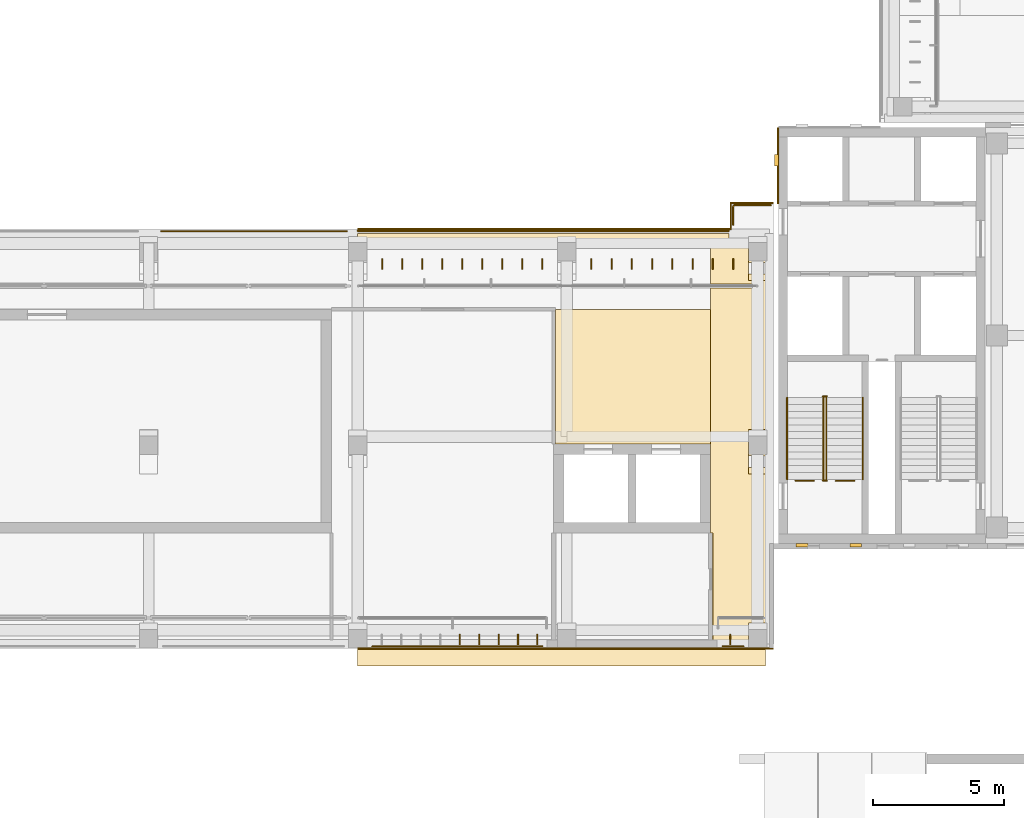
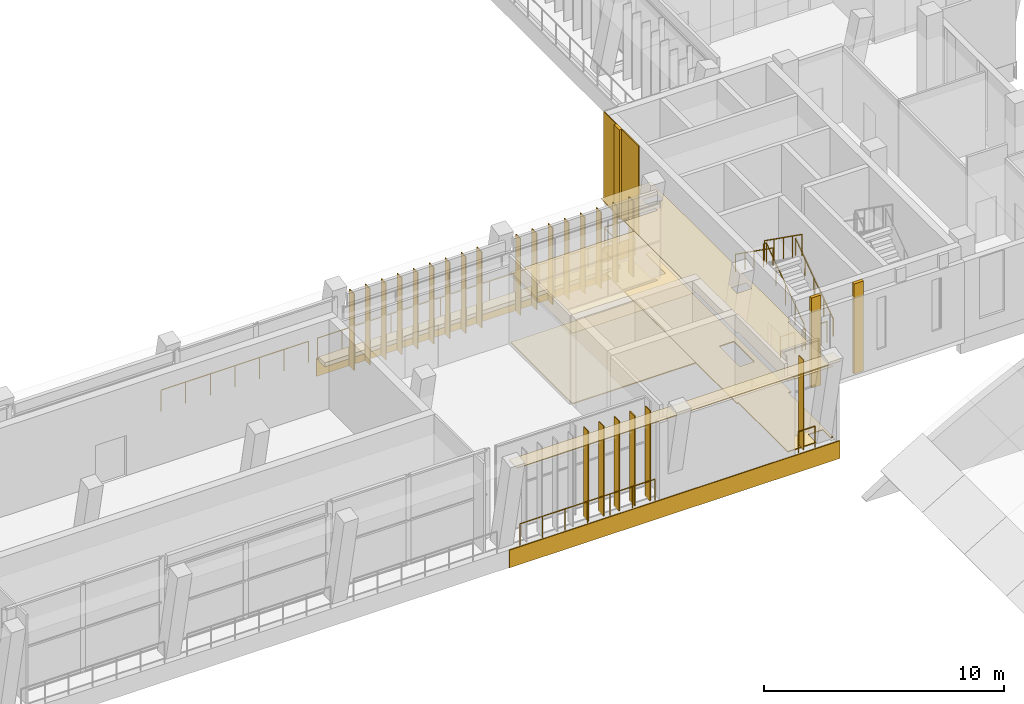
# One storey, part 57 of 74: 23 shading devices, 14 coverings, 13 railings.
"""IFC4 building model written with IfcOpenShell, lengths in metres."""

from ifc_helpers import new_model, si_unit, direction, frame, frame_2d, origin, origin_2d, place, context, subcontext, project, spatial, polyline, rectangle, circle, outline, extrude, material, layer, layer_set, type_object, element, save


model = new_model("IFC4")

# Units and contexts
model_context = context("Model", 3, precision=1e-05, world=origin(), true_north=direction((0.0, 1.0)))
body_context = subcontext(model_context, "Body", "Model", "MODEL_VIEW")
ifc_project = project(units=[si_unit("LENGTHUNIT", "METRE"), si_unit("AREAUNIT", "SQUARE_METRE"), si_unit("VOLUMEUNIT", "CUBIC_METRE"), si_unit("PLANEANGLEUNIT", "RADIAN"), si_unit("MASSUNIT", "GRAM", prefix="KILO")], contexts=[model_context])

# Site, building, storey
site_placement = place(None, origin())
site = spatial("IfcSite", under=ifc_project, at=site_placement, CompositionType="ELEMENT")
building_placement = place(site_placement, origin())
building = spatial("IfcBuilding", under=site, at=building_placement, Name="Lantern Court Media Centre", CompositionType="ELEMENT")
storey_placement = place(building_placement, frame((0.0, 0.0, 19.199951171875)))
storey = spatial("IfcBuildingStorey", under=building, at=storey_placement, Name="L04", CompositionType="ELEMENT", Elevation=19.199951171875)

# Railings
ifc_material_1 = material(Name="Powder-coated steel", Category="steel")
railing_type_1 = type_object("IfcRailingType", Name="Floor edge guard 1100", PredefinedType="GUARDRAIL", material=ifc_material_1)
for number, where, name in (
    (1, (83.0, 50.390380859375, 0.0), "L04 opening guard 109"),
    (2, (81.45361328125, 50.390380859375, 0.0), "L04 opening guard 110"),
):
    element("IfcRailing", number, at=place(storey_placement, frame(where)), inside=storey, type_object=railing_type_1, Name=name, PredefinedType="GUARDRAIL", context=body_context, shape_type="SweptSolid", body=[
        extrude(circle(Radius=0.02392578125, at=origin_2d()), frame((0.0, 0.0, 1.076171875), z_axis=(-1.0, 0.0, 0.0), x_axis=(0.0, -1.0, 0.0)), (0.0, 0.0, 1.0), 0.70361328125),
        extrude(circle(Radius=0.02099609375, at=origin_2d()), origin(), (0.0, 0.0, 1.0), 1.052001953125),
        extrude(circle(Radius=0.02099609375, at=origin_2d()), frame((-0.70361328125, 0.0, 0.0)), (0.0, 0.0, 1.0), 1.052001953125),
    ])
railing_1_placement = place(storey_placement, frame((56.48095703125, 59.93994140625, 0.0)))
element("IfcRailing", 3, at=railing_1_placement, inside=storey, type_object=railing_type_1, Name="L04 edge guard 133", PredefinedType="GUARDRAIL", context=body_context, shape_type="SweptSolid", body=[
    extrude(circle(Radius=0.02392578125, at=origin_2d()), frame((0.0, 0.0, 1.076171875), z_axis=(1.0, 0.0, 0.0), x_axis=(0.0, 1.0, 0.0)), (0.0, 0.0, 1.0), 7.09814453125),
    extrude(circle(Radius=0.02099609375, at=origin_2d()), origin(), (0.0, 0.0, 1.0), 1.052001953125),
    extrude(circle(Radius=0.02099609375, at=origin_2d()), frame((1.18310546875, 0.0, 0.0)), (0.0, 0.0, 1.0), 1.052001953125),
    extrude(circle(Radius=0.02099609375, at=origin_2d()), frame((2.365966796875, 0.0, 0.0)), (0.0, 0.0, 1.0), 1.052001953125),
    extrude(circle(Radius=0.02099609375, at=origin_2d()), frame((3.549072265625, 0.0, 0.0)), (0.0, 0.0, 1.0), 1.052001953125),
    extrude(circle(Radius=0.02099609375, at=origin_2d()), frame((4.732177734375, 0.0, 0.0)), (0.0, 0.0, 1.0), 1.052001953125),
    extrude(circle(Radius=0.02099609375, at=origin_2d()), frame((5.9150390625, 0.0, 0.0)), (0.0, 0.0, 1.0), 1.052001953125),
    extrude(circle(Radius=0.02099609375, at=origin_2d()), frame((7.09814453125, 0.0, 0.0)), (0.0, 0.0, 1.0), 1.052001953125),
])
railing_2_placement = place(storey_placement, frame((71.06201171875, 44.06005859375, 0.0)))
element("IfcRailing", 4, at=railing_2_placement, inside=storey, type_object=railing_type_1, Name="L04 edge guard 136", PredefinedType="GUARDRAIL", context=body_context, shape_type="SweptSolid", body=[
    extrude(circle(Radius=0.02392578125, at=origin_2d()), frame((0.0, 0.0, 1.076171875), z_axis=(-1.0, 0.0, 0.0), x_axis=(0.0, -1.0, 0.0)), (0.0, 0.0, 1.0), 6.498046875),
    extrude(circle(Radius=0.02099609375, at=origin_2d()), origin(), (0.0, 0.0, 1.0), 1.052001953125),
    extrude(circle(Radius=0.02099609375, at=origin_2d()), frame((-1.0830078125, 0.0, 0.0)), (0.0, 0.0, 1.0), 1.052001953125),
    extrude(circle(Radius=0.02099609375, at=origin_2d()), frame((-2.166015625, 0.0, 0.0)), (0.0, 0.0, 1.0), 1.052001953125),
    extrude(circle(Radius=0.02099609375, at=origin_2d()), frame((-3.2490234375, 0.0, 0.0)), (0.0, 0.0, 1.0), 1.052001953125),
    extrude(circle(Radius=0.02099609375, at=origin_2d()), frame((-4.33203125, 0.0, 0.0)), (0.0, 0.0, 1.0), 1.052001953125),
    extrude(circle(Radius=0.02099609375, at=origin_2d()), frame((-5.4150390625, 0.0, 0.0)), (0.0, 0.0, 1.0), 1.052001953125),
    extrude(circle(Radius=0.02099609375, at=origin_2d()), frame((-6.498046875, 0.0, 0.0)), (0.0, 0.0, 1.0), 1.052001953125),
])
railing_3_placement = place(storey_placement, frame((78.760009765625, 44.06005859375, 0.0)))
element("IfcRailing", 5, at=railing_3_placement, inside=storey, type_object=railing_type_1, Name="L04 edge guard 139", PredefinedType="GUARDRAIL", context=body_context, shape_type="SweptSolid", body=[
    extrude(circle(Radius=0.02392578125, at=origin_2d()), frame((0.0, 0.0, 1.076171875), z_axis=(-1.0, 0.0, 0.0), x_axis=(0.0, -1.0, 0.0)), (0.0, 0.0, 1.0), 0.800048828125),
    extrude(circle(Radius=0.02099609375, at=origin_2d()), origin(), (0.0, 0.0, 1.0), 1.052001953125),
    extrude(circle(Radius=0.02099609375, at=origin_2d()), frame((-0.800048828125, 0.0, 0.0)), (0.0, 0.0, 1.0), 1.052001953125),
])
railing_4_placement = place(storey_placement, frame((78.360107421875, 60.18505859375, 0.0)))
element("IfcRailing", 6, at=railing_4_placement, inside=storey, type_object=railing_type_1, Name="L04 edge guard 140", PredefinedType="GUARDRAIL", context=body_context, shape_type="SweptSolid", body=[
    extrude(circle(Radius=0.02392578125, at=origin_2d()), frame((0.0, 0.0, 1.076171875), z_axis=(0.0, 1.0, 0.0), x_axis=(-1.0, 0.0, 0.0)), (0.0, 0.0, 1.0), 0.698974609375),
    extrude(circle(Radius=0.02392578125, at=origin_2d()), frame((0.0, 0.698974609375, 1.076171875), z_axis=(0.626354171064, 0.779538615074, 0.0), x_axis=(-0.779538615074, 0.626354171064, 0.0)), (0.0, 0.0, 1.0), 0.07177734375),
    extrude(circle(Radius=0.02392578125, at=origin_2d()), frame((0.044921875, 0.7548828125, 1.076171875), z_axis=(1.0, 0.0, 0.0), x_axis=(0.0, 1.0, 0.0)), (0.0, 0.0, 1.0), 1.39892578125),
    extrude(circle(Radius=0.02099609375, at=origin_2d()), origin(), (0.0, 0.0, 1.0), 1.052001953125),
    extrude(circle(Radius=0.02099609375, at=origin_2d()), frame((0.0, 0.698974609375, 0.0)), (0.0, 0.0, 1.0), 1.052001953125),
    extrude(circle(Radius=0.02099609375, at=origin_2d()), frame((0.044921875, 0.7548828125, 0.0)), (0.0, 0.0, 1.0), 1.052001953125),
    extrude(circle(Radius=0.02099609375, at=origin_2d()), frame((0.744384765625, 0.7548828125, 0.0)), (0.0, 0.0, 1.0), 1.052001953125),
    extrude(circle(Radius=0.02099609375, at=origin_2d()), frame((1.44384765625, 0.7548828125, 0.0)), (0.0, 0.0, 1.0), 1.052001953125),
])

# Coverings
ifc_material_2 = material(Name="White glass-fibre reinforced cement cladding", Category="concrete")
ifc_layer_1 = layer(ifc_material_2, 0.050048828125)
ifc_layer_set_1 = layer_set([ifc_layer_1], Name="White glass-fibre reinforced cement cladding")
covering_type_1 = type_object("IfcCoveringType", Name="Floor-edge band 50", PredefinedType="CLADDING", material=ifc_layer_set_1)
covering_1_placement = place(storey_placement, frame((64.0, 43.97509765625, -0.89990234375), z_axis=(0.0, 0.0, 1.0), x_axis=(1.0, 0.0, 0.0)))
element("IfcCovering", 7, at=covering_1_placement, inside=storey, type_object=covering_type_1, Name="Floor-edge band S outer L04", PredefinedType="CLADDING", context=body_context, shape_type="SweptSolid", body=[
    extrude(rectangle(XDim=15.89990234375, YDim=0.050048828125, at=frame_2d((7.949951171875, 0.0))), origin(), (0.0, 0.0, 1.0), 0.89990234375),
])
covering_2_placement = place(storey_placement, frame((64.0, 60.02490234375, -0.89990234375), z_axis=(0.0, 0.0, 1.0), x_axis=(1.0, 0.0, 0.0)))
element("IfcCovering", 8, at=covering_2_placement, inside=storey, type_object=covering_type_1, Name="Floor-edge band S inner L04", PredefinedType="CLADDING", context=body_context, shape_type="SweptSolid", body=[
    extrude(rectangle(XDim=14.25, YDim=0.050048828125, at=frame_2d((7.125, 0.0))), origin(), (0.0, 0.0, 1.0), 0.89990234375),
])
covering_3_placement = place(storey_placement, frame((78.300048828125, 61.02490234375, -0.89990234375), z_axis=(0.0, 0.0, 1.0), x_axis=(1.0, 0.0, 0.0)))
element("IfcCovering", 9, at=covering_3_placement, inside=storey, type_object=covering_type_1, Name="Floor-edge band S inner L04", PredefinedType="CLADDING", context=body_context, shape_type="SweptSolid", body=[
    extrude(rectangle(XDim=1.599853515625, YDim=0.050048828125, at=frame_2d((0.7998046875, 0.0))), origin(), (0.0, 0.0, 1.0), 0.89990234375),
])
covering_4_placement = place(storey_placement, frame((78.27490234375, 60.0, -0.89990234375), z_axis=(0.0, 0.0, 1.0), x_axis=(0.0, 1.0, 0.0)))
element("IfcCovering", 10, at=covering_4_placement, inside=storey, type_object=covering_type_1, Name="Floor-edge band S inner L04", PredefinedType="CLADDING", context=body_context, shape_type="SweptSolid", body=[
    extrude(rectangle(XDim=1.050048828125, YDim=0.050048828125, at=frame_2d((0.52490234375, 0.0))), origin(), (0.0, 0.0, 1.0), 0.89990234375),
])

# Railing
ifc_material_3 = material(Name="Painted mild steel balustrade", Category="steel")
railing_type_2 = type_object("IfcRailingType", Name="Guard 1100 steel balustrade", PredefinedType="GUARDRAIL", material=ifc_material_3)
railing_5_placement = place(storey_placement, frame((64.0, 59.949951171875, 0.0)))
element("IfcRailing", 11, at=railing_5_placement, inside=storey, type_object=railing_type_2, Name="Ledge guard S L04", PredefinedType="GUARDRAIL", context=body_context, shape_type="SweptSolid", body=[
    extrude(circle(Radius=0.02392578125, at=origin_2d()), frame((0.0, 0.0, 1.076171875), z_axis=(1.0, 0.0, 0.0), x_axis=(0.0, 1.0, 0.0)), (0.0, 0.0, 1.0), 14.199951171875),
    extrude(circle(Radius=0.02099609375, at=origin_2d()), origin(), (0.0, 0.0, 1.0), 1.052001953125),
    extrude(circle(Radius=0.02099609375, at=origin_2d()), frame((1.183349609375, 0.0, 0.0)), (0.0, 0.0, 1.0), 1.052001953125),
    extrude(circle(Radius=0.02099609375, at=origin_2d()), frame((2.36669921875, 0.0, 0.0)), (0.0, 0.0, 1.0), 1.052001953125),
    extrude(circle(Radius=0.02099609375, at=origin_2d()), frame((3.550048828125, 0.0, 0.0)), (0.0, 0.0, 1.0), 1.052001953125),
    extrude(circle(Radius=0.02099609375, at=origin_2d()), frame((4.7333984375, 0.0, 0.0)), (0.0, 0.0, 1.0), 1.052001953125),
    extrude(circle(Radius=0.02099609375, at=origin_2d()), frame((5.916748046875, 0.0, 0.0)), (0.0, 0.0, 1.0), 1.052001953125),
    extrude(circle(Radius=0.02099609375, at=origin_2d()), frame((7.10009765625, 0.0, 0.0)), (0.0, 0.0, 1.0), 1.052001953125),
    extrude(circle(Radius=0.02099609375, at=origin_2d()), frame((8.283203125, 0.0, 0.0)), (0.0, 0.0, 1.0), 1.052001953125),
    extrude(circle(Radius=0.02099609375, at=origin_2d()), frame((9.466552734375, 0.0, 0.0)), (0.0, 0.0, 1.0), 1.052001953125),
    extrude(circle(Radius=0.02099609375, at=origin_2d()), frame((10.64990234375, 0.0, 0.0)), (0.0, 0.0, 1.0), 1.052001953125),
    extrude(circle(Radius=0.02099609375, at=origin_2d()), frame((11.833251953125, 0.0, 0.0)), (0.0, 0.0, 1.0), 1.052001953125),
    extrude(circle(Radius=0.02099609375, at=origin_2d()), frame((13.0166015625, 0.0, 0.0)), (0.0, 0.0, 1.0), 1.052001953125),
    extrude(circle(Radius=0.02099609375, at=origin_2d()), frame((14.199951171875, 0.0, 0.0)), (0.0, 0.0, 1.0), 1.052001953125),
])

# Coverings
ifc_material_4 = material(Name="Honed limestone cladding", Category="masonry")
ifc_layer_2 = layer(ifc_material_4, 0.050048828125)
ifc_layer_set_2 = layer_set([ifc_layer_2], Name="Honed limestone cladding")
covering_type_2 = type_object("IfcCoveringType", Name="Limestone cladding panel 50", PredefinedType="CLADDING", material=ifc_layer_set_2)
covering_5_placement = place(storey_placement, frame((80.074951171875, 61.0, 0.0), z_axis=(0.0, 0.0, 1.0), x_axis=(0.0, 1.0, 0.0)))
element("IfcCovering", 12, at=covering_5_placement, inside=storey, type_object=covering_type_2, Name="Limestone joint cladding S-SE L04", PredefinedType="CLADDING", context=body_context, shape_type="SweptSolid", body=[
    extrude(rectangle(XDim=2.89990234375, YDim=0.050048828125, at=frame_2d((1.449951171875, 0.0))), origin(), (0.0, 0.0, 1.0), 4.580078125),
])
ifc_layer_3 = layer(ifc_material_4, 0.14990234375)
ifc_layer_set_3 = layer_set([ifc_layer_3], Name="Honed limestone cladding")
covering_type_3 = type_object("IfcCoveringType", Name="Limestone pilaster cladding 150", PredefinedType="CLADDING", material=ifc_layer_set_3)
covering_6_placement = place(storey_placement, frame((80.77490234375, 47.925048828125, 0.0), z_axis=(0.0, 0.0, 1.0), x_axis=(1.0, 0.0, 0.0)))
element("IfcCovering", 13, at=covering_6_placement, inside=storey, type_object=covering_type_3, Name="Limestone pilaster rib", PredefinedType="CLADDING", context=body_context, shape_type="SweptSolid", body=[
    extrude(rectangle(XDim=0.4501953125, YDim=0.14990234375, at=frame_2d((0.22509765625, 0.0))), origin(), (0.0, 0.0, 1.0), 4.580078125),
])
for number, where, z_axis, x_axis, name in (
    (14, (82.824951171875, 47.925048828125, 0.0), (0.0, 0.0, 1.0), (1.0, 0.0, 0.0), "Limestone pilaster rib"),
    (15, (80.02490234375, 62.425048828125, 0.0), (0.0, 0.0, 1.0), (0.0, 1.0, 0.0), "Limestone pilaster rib"),
):
    element("IfcCovering", number, at=place(storey_placement, frame(where, z_axis=z_axis, x_axis=x_axis)), inside=storey, type_object=covering_type_3, Name=name, PredefinedType="CLADDING", context=body_context, shape_type="SweptSolid", body=[
        extrude(rectangle(XDim=0.449951171875, YDim=0.14990234375, at=frame_2d((0.22509765625, 0.0))), origin(), (0.0, 0.0, 1.0), 4.580078125),
    ])
ifc_material_5 = material(Name="Planting substrate")
ifc_layer_4 = layer(ifc_material_5, 0.199951171875)
ifc_layer_set_4 = layer_set([ifc_layer_4], Name="Planting substrate")
covering_type_4 = type_object("IfcCoveringType", Name="Planted ledge build-up 200", PredefinedType="ROOFING", material=ifc_layer_set_4)
covering_7_placement = place(storey_placement, origin())
element("IfcCovering", 16, at=covering_7_placement, inside=storey, type_object=covering_type_4, Name="Planted ledge S L04", PredefinedType="ROOFING", context=body_context, shape_type="SweptSolid", body=[
    extrude(outline(polyline([(64.0, 59.85009765625), (78.199951171875, 59.85009765625), (78.199951171875, 59.320068359375), (64.0, 59.320068359375), (64.0, 59.85009765625)])), origin(), (0.0, 0.0, 1.0), 0.199951171875),
])
ifc_material_6 = material(Name="White fibre cement soffit board")
ifc_layer_5 = layer(ifc_material_6, 0.0400390625)
ifc_layer_set_5 = layer_set([ifc_layer_5], Name="White fibre cement soffit board")
covering_type_5 = type_object("IfcCoveringType", Name="Soffit lining 40", PredefinedType="CLADDING", material=ifc_layer_set_5)
covering_8_placement = place(storey_placement, frame((64.0, 43.64990234375, 4.5400390625), z_axis=(0.0, 0.0, 1.0), x_axis=(1.0, 0.0, 0.0)))
element("IfcCovering", 17, at=covering_8_placement, inside=storey, type_object=covering_type_5, Name="Soffit lining S L04", PredefinedType="CLADDING", context=body_context, shape_type="SweptSolid", body=[
    extrude(rectangle(XDim=15.60009765625, YDim=0.699951171875, at=frame_2d((7.800048828125, 0.0))), origin(), (0.0, 0.0, 1.0), 0.0400390625),
])

# Railings
railing_type_3 = type_object("IfcRailingType", Name="Stair guard 1100", PredefinedType="GUARDRAIL", material=ifc_material_1)
railing_6_placement = place(storey_placement, frame((81.926025390625, 50.449951171875, 0.1845703125)))
element("IfcRailing", 18, at=railing_6_placement, inside=storey, type_object=railing_type_3, Name="L04 ST-SEB stair guard 1", PredefinedType="GUARDRAIL", context=body_context, shape_type="SweptSolid", body=[
    extrude(circle(Radius=0.02392578125, at=origin_2d()), frame((0.0, 0.0, 1.076171875), z_axis=(0.0, 0.815346844174, 0.578972817752), x_axis=(-1.0, 0.0, 0.0)), (0.0, 0.0, 1.0), 3.82666015625),
    extrude(circle(Radius=0.02099609375, at=origin_2d()), origin(), (0.0, 0.0, 1.0), 1.052001953125),
    extrude(circle(Radius=0.02099609375, at=origin_2d()), frame((0.0, 0.780029296875, 0.553955078125)), (0.0, 0.0, 1.0), 1.052001953125),
    extrude(circle(Radius=0.02099609375, at=origin_2d()), frame((0.0, 1.56005859375, 1.10791015625)), (0.0, 0.0, 1.0), 1.052001953125),
    extrude(circle(Radius=0.02099609375, at=origin_2d()), frame((0.0, 2.340087890625, 1.66162109375)), (0.0, 0.0, 1.0), 1.052001953125),
    extrude(circle(Radius=0.02099609375, at=origin_2d()), frame((0.0, 3.1201171875, 2.215576171875)), (0.0, 0.0, 1.0), 1.052001953125),
])
railing_7_placement = place(storey_placement, frame((81.949951171875, 53.6201171875, 2.400146484375)))
element("IfcRailing", 19, at=railing_7_placement, inside=storey, type_object=railing_type_3, Name="L04 ST-SEB stair guard 2", PredefinedType="GUARDRAIL", context=body_context, shape_type="SweptSolid", body=[
    extrude(circle(Radius=0.02392578125, at=origin_2d()), frame((0.0, 0.0, 1.076171875), z_axis=(-1.0, 0.0, 0.0), x_axis=(0.0, -1.0, 0.0)), (0.0, 0.0, 1.0), 0.14990234375),
    extrude(circle(Radius=0.02099609375, at=origin_2d()), origin(), (0.0, 0.0, 1.0), 1.052001953125),
    extrude(circle(Radius=0.02099609375, at=origin_2d()), frame((-0.14990234375, 0.0, 0.0)), (0.0, 0.0, 1.0), 1.052001953125),
])
railing_8_placement = place(storey_placement, frame((81.823974609375, 53.570068359375, 2.584716796875)))
element("IfcRailing", 20, at=railing_8_placement, inside=storey, type_object=railing_type_3, Name="L04 ST-SEB stair guard 3", PredefinedType="GUARDRAIL", context=body_context, shape_type="SweptSolid", body=[
    extrude(circle(Radius=0.02392578125, at=origin_2d()), frame((0.0, 0.0, 1.076171875), z_axis=(0.0, -0.815376961211, 0.578930402662), x_axis=(1.0, 0.0, 0.0)), (0.0, 0.0, 1.0), 3.82666015625),
    extrude(circle(Radius=0.02099609375, at=origin_2d()), origin(), (0.0, 0.0, 1.0), 1.052001953125),
    extrude(circle(Radius=0.02099609375, at=origin_2d()), frame((0.0, -0.780029296875, 0.5537109375)), (0.0, 0.0, 1.0), 1.052001953125),
    extrude(circle(Radius=0.02099609375, at=origin_2d()), frame((0.0, -1.56005859375, 1.107666015625)), (0.0, 0.0, 1.0), 1.052001953125),
    extrude(circle(Radius=0.02099609375, at=origin_2d()), frame((0.0, -2.340087890625, 1.66162109375)), (0.0, 0.0, 1.0), 1.052001953125),
    extrude(circle(Radius=0.02099609375, at=origin_2d()), frame((0.0, -3.1201171875, 2.21533203125)), (0.0, 0.0, 1.0), 1.052001953125),
])
railing_9_placement = place(storey_placement, frame((81.949951171875, 50.39990234375, 0.0)))
element("IfcRailing", 21, at=railing_9_placement, inside=storey, type_object=railing_type_3, Name="L04 ST-SEB stair guard 4", PredefinedType="GUARDRAIL", context=body_context, shape_type="SweptSolid", body=[
    extrude(circle(Radius=0.02392578125, at=origin_2d()), frame((0.0, 0.0, 1.076171875), z_axis=(-1.0, 0.0, 0.0), x_axis=(0.0, -1.0, 0.0)), (0.0, 0.0, 1.0), 0.14990234375),
    extrude(circle(Radius=0.02099609375, at=origin_2d()), origin(), (0.0, 0.0, 1.0), 1.052001953125),
    extrude(circle(Radius=0.02099609375, at=origin_2d()), frame((-0.14990234375, 0.0, 0.0)), (0.0, 0.0, 1.0), 1.052001953125),
])
railing_type_4 = type_object("IfcRailingType", Name="Stair handrail 900", PredefinedType="HANDRAIL", material=ifc_material_1)
railing_10_placement = place(storey_placement, frame((83.323974609375, 50.449951171875, 0.1845703125)))
element("IfcRailing", 22, at=railing_10_placement, inside=storey, type_object=railing_type_4, Name="L04 ST-SEB stair handrail 1", PredefinedType="HANDRAIL", context=body_context, shape_type="SweptSolid", body=[
    extrude(circle(Radius=0.02392578125, at=origin_2d()), frame((0.0, 0.0, 0.8759765625), z_axis=(0.0, 0.815346844174, 0.578972817752), x_axis=(-1.0, 0.0, 0.0)), (0.0, 0.0, 1.0), 3.82666015625),
    extrude(circle(Radius=0.02099609375, at=origin_2d()), origin(), (0.0, 0.0, 1.0), 0.851806640625),
    extrude(circle(Radius=0.02099609375, at=origin_2d()), frame((0.0, 0.780029296875, 0.553955078125)), (0.0, 0.0, 1.0), 0.851806640625),
    extrude(circle(Radius=0.02099609375, at=origin_2d()), frame((0.0, 1.56005859375, 1.10791015625)), (0.0, 0.0, 1.0), 0.851806640625),
    extrude(circle(Radius=0.02099609375, at=origin_2d()), frame((0.0, 2.340087890625, 1.66162109375)), (0.0, 0.0, 1.0), 0.851806640625),
    extrude(circle(Radius=0.02099609375, at=origin_2d()), frame((0.0, 3.1201171875, 2.215576171875)), (0.0, 0.0, 1.0), 0.851806640625),
])
railing_11_placement = place(storey_placement, frame((80.426025390625, 53.570068359375, 2.584716796875)))
element("IfcRailing", 23, at=railing_11_placement, inside=storey, type_object=railing_type_4, Name="L04 ST-SEB stair handrail 2", PredefinedType="HANDRAIL", context=body_context, shape_type="SweptSolid", body=[
    extrude(circle(Radius=0.02392578125, at=origin_2d()), frame((0.0, 0.0, 0.8759765625), z_axis=(0.0, -0.815376961211, 0.578930402662), x_axis=(1.0, 0.0, 0.0)), (0.0, 0.0, 1.0), 3.82666015625),
    extrude(circle(Radius=0.02099609375, at=origin_2d()), origin(), (0.0, 0.0, 1.0), 0.851806640625),
    extrude(circle(Radius=0.02099609375, at=origin_2d()), frame((0.0, -0.780029296875, 0.5537109375)), (0.0, 0.0, 1.0), 0.851806640625),
    extrude(circle(Radius=0.02099609375, at=origin_2d()), frame((0.0, -1.56005859375, 1.107666015625)), (0.0, 0.0, 1.0), 0.851806640625),
    extrude(circle(Radius=0.02099609375, at=origin_2d()), frame((0.0, -2.340087890625, 1.66162109375)), (0.0, 0.0, 1.0), 0.851806640625),
    extrude(circle(Radius=0.02099609375, at=origin_2d()), frame((0.0, -3.1201171875, 2.21533203125)), (0.0, 0.0, 1.0), 0.851806640625),
])

# Coverings
ifc_material_7 = material(Name="Mineral fibre ceiling tile")
ifc_layer_6 = layer(ifc_material_7, 0.02001953125)
ifc_layer_set_6 = layer_set([ifc_layer_6], Name="Mineral fibre ceiling tile")
covering_type_6 = type_object("IfcCoveringType", Name="Suspended ceiling tile", PredefinedType="CEILING", material=ifc_layer_set_6)
covering_9_placement = place(storey_placement, frame((0.0, 0.0, 3.60009765625)))
element("IfcCovering", 24, at=covering_9_placement, inside=storey, type_object=covering_type_6, Name="End Lobby ceiling", PredefinedType="CEILING", context=body_context, shape_type="SweptSolid", body=[
    extrude(outline(polyline([(77.5, 59.699951171875), (79.89990234375, 59.699951171875), (79.89990234375, 48.00048828125), (79.759521484375, 48.0), (79.759521484375, 44.300048828125), (77.58056640625, 44.300537109375), (77.58056640625, 48.39990234375), (77.50048828125, 48.400390625), (77.5, 57.7744140625), (79.10009765625, 57.7744140625), (79.1005859375, 57.925048828125), (77.5, 57.925537109375), (77.5, 59.699951171875)]), holes=[polyline([(79.650390625, 58.75), (78.94970703125, 58.75048828125), (78.949462890625, 58.297607421875), (79.650390625, 58.297607421875), (79.650390625, 58.75)]), polyline([(79.650390625, 51.35009765625), (78.94970703125, 51.350341796875), (78.949462890625, 50.897705078125), (79.650390625, 50.8974609375), (79.650390625, 51.35009765625)])]), origin(), (0.0, 0.0, 1.0), 0.02001953125),
])
covering_10_placement = place(storey_placement, frame((0.0, 0.0, 3.60009765625)))
element("IfcCovering", 25, at=covering_10_placement, inside=storey, type_object=covering_type_6, Name="Lift Lobby ceiling", PredefinedType="CEILING", context=body_context, shape_type="SweptSolid", body=[
    extrude(outline(polyline([(77.5, 56.949951171875), (77.5, 51.800537109375), (71.56298828125, 51.800537109375), (71.56298828125, 56.949951171875), (77.5, 56.949951171875)])), origin(), (0.0, 0.0, 1.0), 0.02001953125),
])
ifc_material_8 = material(Name="Terrazzo")
ifc_layer_7 = layer(ifc_material_8, 0.050048828125)
ifc_layer_set_7 = layer_set([ifc_layer_7], Name="Terrazzo")
covering_type_7 = type_object("IfcCoveringType", Name="Terrazzo floor finish", PredefinedType="FLOORING", material=ifc_layer_set_7)
covering_11_placement = place(storey_placement, origin())
element("IfcCovering", 26, at=covering_11_placement, inside=storey, type_object=covering_type_7, Name="End Lobby floor finish", PredefinedType="FLOORING", context=body_context, shape_type="SweptSolid", body=[
    extrude(outline(polyline([(79.89990234375, 59.699951171875), (79.89990234375, 48.0048828125), (79.7548828125, 48.0), (79.7548828125, 44.300048828125), (79.655029296875, 44.300048828125), (79.64990234375, 44.955078125), (78.946533203125, 44.95361328125), (78.945068359375, 44.300048828125), (77.5849609375, 44.304931640625), (77.5849609375, 48.39990234375), (77.5048828125, 48.405029296875), (77.5, 57.77001953125), (79.1005859375, 57.77001953125), (79.10498046875, 57.925048828125), (77.5, 57.929931640625), (77.5, 59.699951171875), (78.945068359375, 59.699951171875), (78.949951171875, 58.044921875), (79.654296875, 58.047607421875), (79.655029296875, 59.699951171875), (79.89990234375, 59.699951171875)]), holes=[polyline([(79.64990234375, 50.64501953125), (79.654541015625, 52.351806640625), (78.947998046875, 52.354736328125), (78.9453125, 50.648193359375), (79.64990234375, 50.64501953125)])]), origin(), (0.0, 0.0, 1.0), 0.050048828125),
])
covering_12_placement = place(storey_placement, origin())
element("IfcCovering", 27, at=covering_12_placement, inside=storey, type_object=covering_type_7, Name="Lift Lobby floor finish", PredefinedType="FLOORING", context=body_context, shape_type="SweptSolid", body=[
    extrude(outline(polyline([(77.5, 56.949951171875), (77.5, 51.804931640625), (71.5673828125, 51.804931640625), (71.5673828125, 56.949951171875), (77.5, 56.949951171875)])), origin(), (0.0, 0.0, 1.0), 0.050048828125),
])

# Shading devices
ifc_material_9 = material(Name="Bronze anodised aluminium louvre", Category="aluminium")
ifc_layer_8 = layer(ifc_material_9, 0.0400390625)
ifc_layer_set_8 = layer_set([ifc_layer_8], Name="Bronze anodised aluminium louvre")
shading_device_type_1 = type_object("IfcShadingDeviceType", Name="Vertical louvre 40x400 full storey", PredefinedType="USERDEFINED", material=ifc_layer_set_8)
for number, where, z_axis, x_axis, name in (
    (28, (67.89990234375, 44.320068359375, 0.0), (0.0, 0.0, 1.0), (1.0, 0.0, 0.0), "Vertical louvre S outer L04"),
    (29, (68.64453125, 44.320068359375, 0.0), (0.0, 0.0, 1.0), (1.0, 0.0, 0.0), "Vertical louvre S outer L04"),
    (30, (69.388916015625, 44.320068359375, 0.0), (0.0, 0.0, 1.0), (1.0, 0.0, 0.0), "Vertical louvre S outer L04"),
    (31, (70.13330078125, 44.320068359375, 0.0), (0.0, 0.0, 1.0), (1.0, 0.0, 0.0), "Vertical louvre S outer L04"),
    (32, (70.877685546875, 44.320068359375, 0.0), (0.0, 0.0, 1.0), (1.0, 0.0, 0.0), "Vertical louvre S outer L04"),
    (33, (78.25, 44.320068359375, 0.0), (0.0, 0.0, 1.0), (1.0, 0.0, 0.0), "Vertical louvre S outer L04"),
):
    element("IfcShadingDevice", number, at=place(storey_placement, frame(where, z_axis=z_axis, x_axis=x_axis)), inside=storey, type_object=shading_device_type_1, Name=name, ObjectType="VERTICAL LOUVRE", PredefinedType="USERDEFINED", context=body_context, shape_type="SweptSolid", body=[
        extrude(rectangle(XDim=0.0400390625, YDim=0.39990234375, at=origin_2d()), origin(), (0.0, 0.0, 1.0), 4.580078125),
    ])
ifc_layer_9 = layer(ifc_material_9, 0.0400390625)
ifc_layer_set_9 = layer_set([ifc_layer_9], Name="Bronze anodised aluminium louvre")
shading_device_type_2 = type_object("IfcShadingDeviceType", Name="Vertical louvre 40x400 under beam", PredefinedType="USERDEFINED", material=ifc_layer_set_9)
for number, where, z_axis, x_axis, name in (
    (34, (64.933349609375, 58.679931640625, 0.0), (0.0, 0.0, 1.0), (1.0, 0.0, 0.0), "Vertical louvre S inner L04"),
    (35, (65.699951171875, 58.679931640625, 0.0), (0.0, 0.0, 1.0), (1.0, 0.0, 0.0), "Vertical louvre S inner L04"),
    (36, (66.466552734375, 58.679931640625, 0.0), (0.0, 0.0, 1.0), (1.0, 0.0, 0.0), "Vertical louvre S inner L04"),
    (37, (67.2333984375, 58.679931640625, 0.0), (0.0, 0.0, 1.0), (1.0, 0.0, 0.0), "Vertical louvre S inner L04"),
    (38, (68.0, 58.679931640625, 0.0), (0.0, 0.0, 1.0), (1.0, 0.0, 0.0), "Vertical louvre S inner L04"),
    (39, (68.7666015625, 58.679931640625, 0.0), (0.0, 0.0, 1.0), (1.0, 0.0, 0.0), "Vertical louvre S inner L04"),
    (40, (69.533447265625, 58.679931640625, 0.0), (0.0, 0.0, 1.0), (1.0, 0.0, 0.0), "Vertical louvre S inner L04"),
    (41, (70.300048828125, 58.679931640625, 0.0), (0.0, 0.0, 1.0), (1.0, 0.0, 0.0), "Vertical louvre S inner L04"),
    (42, (71.066650390625, 58.679931640625, 0.0), (0.0, 0.0, 1.0), (1.0, 0.0, 0.0), "Vertical louvre S inner L04"),
    (43, (72.9375, 58.679931640625, 0.0), (0.0, 0.0, 1.0), (1.0, 0.0, 0.0), "Vertical louvre S inner L04"),
    (44, (73.71240234375, 58.679931640625, 0.0), (0.0, 0.0, 1.0), (1.0, 0.0, 0.0), "Vertical louvre S inner L04"),
    (45, (74.487548828125, 58.679931640625, 0.0), (0.0, 0.0, 1.0), (1.0, 0.0, 0.0), "Vertical louvre S inner L04"),
    (46, (75.262451171875, 58.679931640625, 0.0), (0.0, 0.0, 1.0), (1.0, 0.0, 0.0), "Vertical louvre S inner L04"),
    (47, (76.03759765625, 58.679931640625, 0.0), (0.0, 0.0, 1.0), (1.0, 0.0, 0.0), "Vertical louvre S inner L04"),
    (48, (76.8125, 58.679931640625, 0.0), (0.0, 0.0, 1.0), (1.0, 0.0, 0.0), "Vertical louvre S inner L04"),
    (49, (77.58740234375, 58.679931640625, 0.0), (0.0, 0.0, 1.0), (1.0, 0.0, 0.0), "Vertical louvre S inner L04"),
    (50, (78.362548828125, 58.679931640625, 0.0), (0.0, 0.0, 1.0), (1.0, 0.0, 0.0), "Vertical louvre S inner L04"),
):
    element("IfcShadingDevice", number, at=place(storey_placement, frame(where, z_axis=z_axis, x_axis=x_axis)), inside=storey, type_object=shading_device_type_2, Name=name, ObjectType="VERTICAL LOUVRE", PredefinedType="USERDEFINED", context=body_context, shape_type="SweptSolid", body=[
        extrude(rectangle(XDim=0.0400390625, YDim=0.39990234375, at=origin_2d()), origin(), (0.0, 0.0, 1.0), 3.89990234375),
    ])

save(model, "model.ifc")
